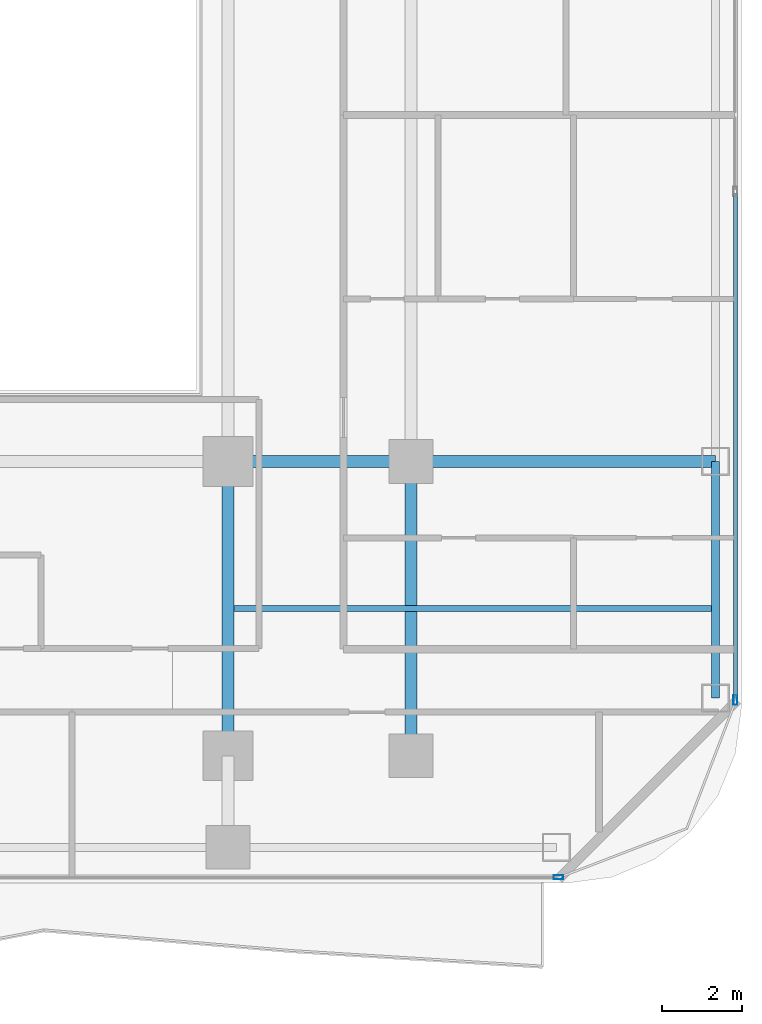
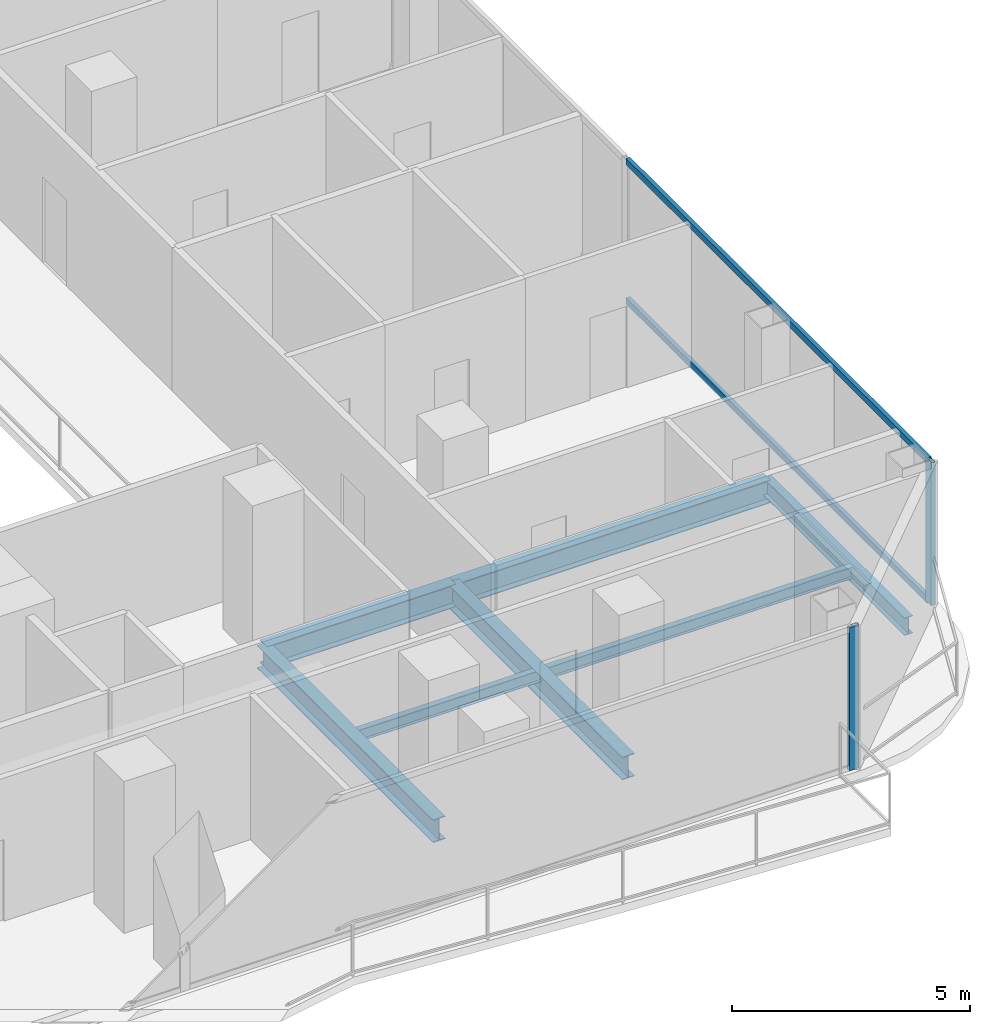
# One storey, part 9 of 27: 6 beams, 4 members, 2 elements without a shape of their own.
"""IFC4 building model written with IfcOpenShell, lengths in metres."""

from ifc_helpers import new_model, si_unit, direction, frame, origin, origin_2d, place, context, subcontext, project, spatial, hollow_rectangle, i_section, extrude, material, layer, layer_set, material_profile, profile_set, type_object, element, aggregate, save


model = new_model("IFC4")

# Units and contexts
model_context = context("Model", 3, precision=1e-05, world=origin(), true_north=direction((0.0, 1.0)))
body_context = subcontext(model_context, "Body", "Model", "MODEL_VIEW")
ifc_project = project(units=[si_unit("LENGTHUNIT", "METRE"), si_unit("AREAUNIT", "SQUARE_METRE"), si_unit("VOLUMEUNIT", "CUBIC_METRE"), si_unit("PLANEANGLEUNIT", "RADIAN"), si_unit("MASSUNIT", "GRAM", prefix="KILO")], contexts=[model_context])

# Site, building, storey
site_placement = place(None, origin())
site = spatial("IfcSite", under=ifc_project, at=site_placement, CompositionType="ELEMENT")
building_placement = place(site_placement, origin())
building = spatial("IfcBuilding", under=site, at=building_placement, Name="Khorvyn Point Tower", CompositionType="ELEMENT")
storey_placement = place(building_placement, frame((0.0, 0.0, 129.0)))
storey = spatial("IfcBuildingStorey", under=building, at=storey_placement, Name="L32", CompositionType="ELEMENT", Elevation=129.0)

# Curtain wall, member
ifc_material_1 = material(Name="Anodised aluminium 6063-T6 and laminated Low-E glass", Category="aluminium")
ifc_layer = layer(ifc_material_1, 0.18994140625)
ifc_layer_set = layer_set([ifc_layer], Name="Stick-Built Acoustic Curtain Wall CW-SYS-03")
curtain_wall_type = type_object("IfcCurtainWallType", Name="Stick-Built Acoustic Curtain Wall CW-SYS-03", PredefinedType="NOTDEFINED", material=ifc_layer_set)
curtain_wall_1_placement = place(storey_placement, origin())
curtain_wall_1 = element("IfcCurtainWall", 1, at=curtain_wall_1_placement, inside=storey, type_object=curtain_wall_type, Name="Curtain Wall", PredefinedType="NOTDEFINED")
ifc_material_2 = material(Name="Anodised aluminium 6063-T6", Category="aluminium")
ifc_material_profile_1 = material_profile(ifc_material_2, hollow_rectangle(XDim=0.10009765625, YDim=0.239990234375, WallThickness=0.0048828125, at=origin_2d()))
ifc_profile_set_1 = profile_set([ifc_material_profile_1], Name="Anodised aluminium 6063-T6 ALU-MUL-100x240")
member_type_1 = type_object("IfcMemberType", Name="Anodised Aluminium 6063-T6 Mullion ALU-MUL-100x240", PredefinedType="MULLION", material=ifc_profile_set_1)
member_1_placement = place(storey_placement, frame((23.10009765625, -17.85009765625, 0.0), z_axis=(0.0, 0.0, 1.0), x_axis=(0.0, -1.0, 0.0)))
member_1 = element("IfcMember", 2, at=member_1_placement, type_object=member_type_1, Name="Transom", PredefinedType="MULLION", context=body_context, shape_type="SweptSolid", body=[
    extrude(hollow_rectangle(XDim=0.10009765625, YDim=0.239990234375, WallThickness=0.0048828125, at=origin_2d()), origin(), (0.0, 0.0, 1.0), 3.679931640625),
])
aggregate(curtain_wall_1, [member_1])

# Curtain wall, members
curtain_wall_2_placement = place(storey_placement, origin())
curtain_wall_2 = element("IfcCurtainWall", 3, at=curtain_wall_2_placement, inside=storey, type_object=curtain_wall_type, Name="Curtain Wall", PredefinedType="NOTDEFINED")
member_2_placement = place(storey_placement, frame((27.550048828125, -13.39990234375, 0.0), z_axis=(0.0, 0.0, 1.0), x_axis=(1.0, 0.0, 0.0)))
member_2 = element("IfcMember", 4, at=member_2_placement, type_object=member_type_1, Name="Transom", PredefinedType="MULLION", context=body_context, shape_type="SweptSolid", body=[
    extrude(hollow_rectangle(XDim=0.10009765625, YDim=0.239990234375, WallThickness=0.0048828125, at=origin_2d()), origin(), (0.0, 0.0, 1.0), 3.679931640625),
])
ifc_material_profile_2 = material_profile(ifc_material_2, hollow_rectangle(XDim=0.10009765625, YDim=0.159912109375, WallThickness=0.00439453125, at=origin_2d()))
ifc_profile_set_2 = profile_set([ifc_material_profile_2], Name="Anodised aluminium 6063-T6 ALU-TRN-100x160")
member_type_2 = type_object("IfcMemberType", Name="Anodised Aluminium 6063-T6 Transom ALU-TRN-100x160", PredefinedType="USERDEFINED", material=ifc_profile_set_2)
member_3_placement = place(storey_placement, frame((27.550048828125, -0.666748046875, 0.050048828125), z_axis=(0.0, -1.0, 0.0), x_axis=(1.0, 0.0, 0.0)))
member_3 = element("IfcMember", 5, at=member_3_placement, type_object=member_type_2, Name="Transom", ObjectType="TRANSOM", PredefinedType="USERDEFINED", context=body_context, shape_type="SweptSolid", body=[
    extrude(hollow_rectangle(XDim=0.10009765625, YDim=0.159912109375, WallThickness=0.00439453125, at=origin_2d()), origin(), (0.0, 0.0, 1.0), 12.683349609375),
])
member_4_placement = place(storey_placement, frame((27.550048828125, -0.666748046875, 3.6298828125), z_axis=(0.0, -1.0, 0.0), x_axis=(1.0, 0.0, 0.0)))
member_4 = element("IfcMember", 6, at=member_4_placement, type_object=member_type_2, Name="Transom", ObjectType="TRANSOM", PredefinedType="USERDEFINED", context=body_context, shape_type="SweptSolid", body=[
    extrude(hollow_rectangle(XDim=0.10009765625, YDim=0.159912109375, WallThickness=0.00439453125, at=origin_2d()), origin(), (0.0, 0.0, 1.0), 12.683349609375),
])
aggregate(curtain_wall_2, [member_2, member_3, member_4])

# Beams
ifc_material_3 = material(Name="Steel S355", Category="steel")
ifc_material_profile_3 = material_profile(ifc_material_3, i_section(OverallWidth=0.300048828125, OverallDepth=0.587890625, WebThickness=0.011962890625, FlangeThickness=0.02001953125, at=origin_2d()))
ifc_profile_set_3 = profile_set([ifc_material_profile_3], Name="Steel S355 H588x300x12x20")
beam_type_1 = type_object("IfcBeamType", Name="Steel S355 Beam H588x300x12x20", PredefinedType="BEAM", material=ifc_profile_set_3)
beam_1_placement = place(storey_placement, frame((14.800048828125, -7.39990234375, -0.513916015625), z_axis=(1.0, 0.0, 0.0), x_axis=(0.0, 1.0, 0.0)))
element("IfcBeam", 7, at=beam_1_placement, inside=storey, type_object=beam_type_1, Name="Beam", PredefinedType="BEAM", context=body_context, shape_type="SweptSolid", body=[
    extrude(i_section(OverallWidth=0.300048828125, OverallDepth=0.587890625, WebThickness=0.011962890625, FlangeThickness=0.02001953125, at=origin_2d()), origin(), (0.0, 0.0, 1.0), 4.599853515625),
])
beam_2_placement = place(storey_placement, frame((19.39990234375, -7.39990234375, -0.513916015625), z_axis=(1.0, 0.0, 0.0), x_axis=(0.0, 1.0, 0.0)))
element("IfcBeam", 8, at=beam_2_placement, inside=storey, type_object=beam_type_1, Name="Beam", PredefinedType="BEAM", context=body_context, shape_type="SweptSolid", body=[
    extrude(i_section(OverallWidth=0.300048828125, OverallDepth=0.587890625, WebThickness=0.011962890625, FlangeThickness=0.02001953125, at=origin_2d()), origin(), (0.0, 0.0, 1.0), 7.650146484375),
])
for number, where, z_axis, x_axis, name in (
    (9, (14.800048828125, -14.800048828125, -0.513916015625), (0.0, 1.0, 0.0), (-1.0, 0.0, 0.0), "Beam"),
    (10, (19.39990234375, -14.800048828125, -0.513916015625), (0.0, 1.0, 0.0), (-1.0, 0.0, 0.0), "Beam"),
):
    element("IfcBeam", number, at=place(storey_placement, frame(where, z_axis=z_axis, x_axis=x_axis)), inside=storey, type_object=beam_type_1, Name=name, PredefinedType="BEAM", context=body_context, shape_type="SweptSolid", body=[
        extrude(i_section(OverallWidth=0.300048828125, OverallDepth=0.587890625, WebThickness=0.011962890625, FlangeThickness=0.02001953125, at=origin_2d()), origin(), (0.0, 0.0, 1.0), 7.400146484375),
    ])
ifc_material_profile_4 = material_profile(ifc_material_3, i_section(OverallWidth=0.14990234375, OverallDepth=0.300048828125, WebThickness=0.006591796875, FlangeThickness=0.009033203125, at=origin_2d()))
ifc_profile_set_4 = profile_set([ifc_material_profile_4], Name="Steel S355 H300x150x6.5x9")
beam_type_2 = type_object("IfcBeamType", Name="Steel S355 Joist H300x150x6.5x9", PredefinedType="JOIST", material=ifc_profile_set_4)
beam_3_placement = place(storey_placement, frame((14.949951171875, -11.10009765625, -0.3701171875), z_axis=(1.0, 0.0, 0.0), x_axis=(0.0, 1.0, 0.0)))
element("IfcBeam", 11, at=beam_3_placement, inside=storey, type_object=beam_type_2, Name="Beam", PredefinedType="JOIST", context=body_context, shape_type="SweptSolid", body=[
    extrude(i_section(OverallWidth=0.14990234375, OverallDepth=0.300048828125, WebThickness=0.006591796875, FlangeThickness=0.009033203125, at=origin_2d()), origin(), (0.0, 0.0, 1.0), 12.0),
])
ifc_material_profile_5 = material_profile(ifc_material_3, i_section(OverallWidth=0.199951171875, OverallDepth=0.449951171875, WebThickness=0.009033203125, FlangeThickness=0.013916015625, at=origin_2d()))
ifc_profile_set_5 = profile_set([ifc_material_profile_5], Name="Steel S355 H450x200x9x14")
beam_type_3 = type_object("IfcBeamType", Name="Steel S355 Spandrel H450x200x9x14", PredefinedType="SPANDREL", material=ifc_profile_set_5)
beam_4_placement = place(storey_placement, frame((27.050048828125, -13.35009765625, -0.445068359375), z_axis=(0.0, 1.0, 0.0), x_axis=(-1.0, 0.0, 0.0)))
element("IfcBeam", 12, at=beam_4_placement, inside=storey, type_object=beam_type_3, Name="Beam", PredefinedType="SPANDREL", context=body_context, shape_type="SweptSolid", body=[
    extrude(i_section(OverallWidth=0.199951171875, OverallDepth=0.449951171875, WebThickness=0.009033203125, FlangeThickness=0.013916015625, at=origin_2d()), origin(), (0.0, 0.0, 1.0), 5.9501953125),
])

save(model, "model.ifc")
